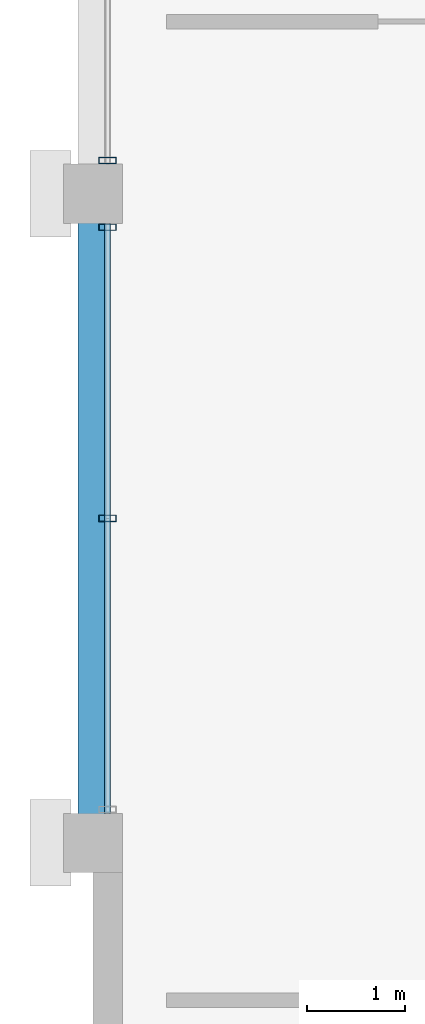
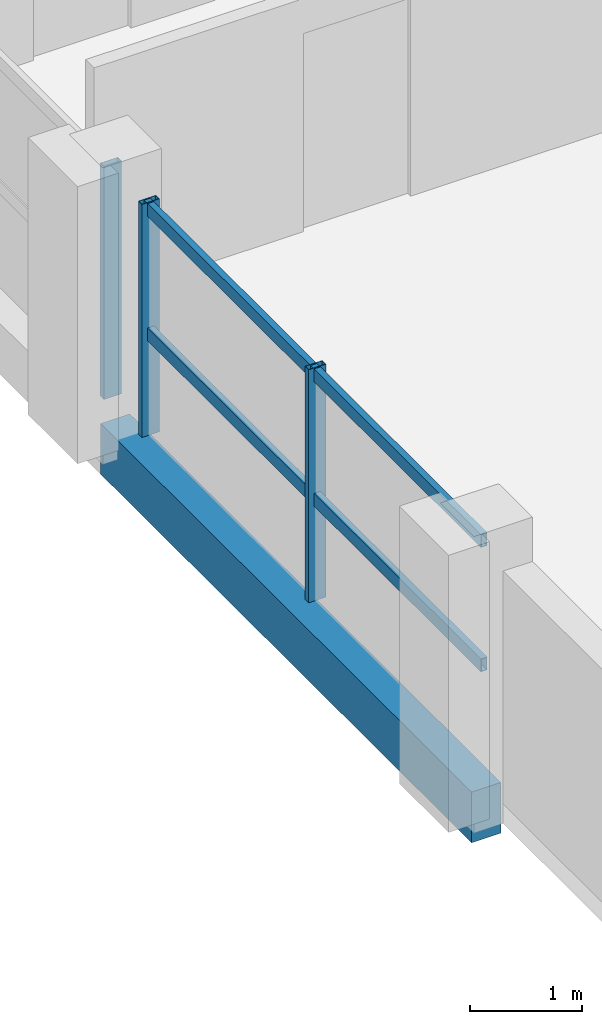
# One storey, part 4 of 24: 5 members, 1 beam, 2 elements without a shape of their own.
"""IFC4 building model written with IfcOpenShell, lengths in metres."""

from ifc_helpers import new_model, si_unit, direction, frame, origin, origin_2d, place, context, subcontext, project, spatial, rectangle, hollow_rectangle, extrude, material, material_profile, profile_set, type_object, element, aggregate, save


model = new_model("IFC4")

# Units and contexts
model_context = context("Model", 3, precision=1e-05, world=origin(), true_north=direction((0.0, 1.0)))
body_context = subcontext(model_context, "Body", "Model", "MODEL_VIEW")
ifc_project = project(units=[si_unit("LENGTHUNIT", "METRE"), si_unit("AREAUNIT", "SQUARE_METRE"), si_unit("VOLUMEUNIT", "CUBIC_METRE"), si_unit("PLANEANGLEUNIT", "RADIAN"), si_unit("MASSUNIT", "GRAM", prefix="KILO")], contexts=[model_context])

# Site, building, storey
site_placement = place(None, origin())
site = spatial("IfcSite", under=ifc_project, at=site_placement, CompositionType="ELEMENT")
building_placement = place(site_placement, origin())
building = spatial("IfcBuilding", under=site, at=building_placement, Name="Akrevak Sports Hall", CompositionType="ELEMENT")
storey_placement = place(building_placement, frame((0.0, 0.0, 63.300048828125)))
storey = spatial("IfcBuildingStorey", under=building, at=storey_placement, Name="L16", CompositionType="ELEMENT", Elevation=63.300048828125)

# Curtain wall, member
ifc_material_1 = material(Name="Anodized Bronze Aluminium & Low-E Glass", Category="aluminium")
curtain_wall_type = type_object("IfcCurtainWallType", Name="ARC-CW-TWR-72x30", PredefinedType="NOTDEFINED", material=ifc_material_1)
curtain_wall_1_placement = place(storey_placement, origin())
curtain_wall_1 = element("IfcCurtainWall", 1, at=curtain_wall_1_placement, inside=storey, type_object=curtain_wall_type, Name="Curtain Wall CW-L16-W28", PredefinedType="NOTDEFINED")
ifc_material_2 = material(Name="Anodized Bronze Aluminium", Category="aluminium")
ifc_material_profile_1 = material_profile(ifc_material_2, hollow_rectangle(XDim=0.06494140625, YDim=0.179931640625, WallThickness=0.00390625, at=origin_2d()), Name="CWM 65x180", Category="aluminium")
ifc_profile_set_1 = profile_set([ifc_material_profile_1], Name="Anodized Bronze Aluminium")
member_type_1 = type_object("IfcMemberType", Name="ARC-CWM-65x140", PredefinedType="MULLION", material=ifc_profile_set_1)
member_1_placement = place(storey_placement, frame((52.64990234375, 48.93994140625, 0.0), z_axis=(0.0, 0.0, 1.0), x_axis=(0.0, -1.0, 0.0)))
member_1 = element("IfcMember", 2, at=member_1_placement, type_object=member_type_1, Name="Curtain Wall Mullion CW-L16-W28-M3", PredefinedType="MULLION", context=body_context, shape_type="SweptSolid", body=[
    extrude(hollow_rectangle(XDim=0.06494140625, YDim=0.179931640625, WallThickness=0.00390625, at=origin_2d()), origin(), (0.0, 0.0, 1.0), 2.530029296875),
])
aggregate(curtain_wall_1, [member_1])

# Curtain wall, members
curtain_wall_2_placement = place(storey_placement, origin())
curtain_wall_2 = element("IfcCurtainWall", 3, at=curtain_wall_2_placement, inside=storey, type_object=curtain_wall_type, Name="Curtain Wall CW-L16-W29", PredefinedType="NOTDEFINED")
member_2_placement = place(storey_placement, frame((52.64990234375, 48.260009765625, 0.0), z_axis=(0.0, 0.0, 1.0), x_axis=(0.0, -1.0, 0.0)))
member_2 = element("IfcMember", 4, at=member_2_placement, type_object=member_type_1, Name="Curtain Wall Mullion CW-L16-W29-M1", PredefinedType="MULLION", context=body_context, shape_type="SweptSolid", body=[
    extrude(hollow_rectangle(XDim=0.06494140625, YDim=0.179931640625, WallThickness=0.00390625, at=origin_2d()), origin(), (0.0, 0.0, 1.0), 2.530029296875),
])
member_3_placement = place(storey_placement, frame((52.64990234375, 45.300048828125, 0.0), z_axis=(0.0, 0.0, 1.0), x_axis=(0.0, -1.0, 0.0)))
member_3 = element("IfcMember", 5, at=member_3_placement, type_object=member_type_1, Name="Curtain Wall Mullion CW-L16-W29-M2", PredefinedType="MULLION", context=body_context, shape_type="SweptSolid", body=[
    extrude(hollow_rectangle(XDim=0.06494140625, YDim=0.179931640625, WallThickness=0.00390625, at=origin_2d()), origin(), (0.0, 0.0, 1.0), 2.530029296875),
])
ifc_material_profile_2 = material_profile(ifc_material_2, hollow_rectangle(XDim=0.06494140625, YDim=0.139892578125, WallThickness=0.00390625, at=origin_2d()), Name="CWT 65x140", Category="aluminium")
ifc_profile_set_2 = profile_set([ifc_material_profile_2], Name="Anodized Bronze Aluminium")
member_type_2 = type_object("IfcMemberType", Name="ARC-CWT-65x110", PredefinedType="USERDEFINED", material=ifc_profile_set_2)
member_4_placement = place(storey_placement, frame((52.64990234375, 48.300048828125, 1.099853515625), z_axis=(0.0, -1.0, 0.0), x_axis=(1.0, 0.0, 0.0)))
member_4 = element("IfcMember", 6, at=member_4_placement, type_object=member_type_2, Name="Curtain Wall Transom CW-L16-W29-T1", ObjectType="TRANSOM", PredefinedType="USERDEFINED", context=body_context, shape_type="SweptSolid", body=[
    extrude(hollow_rectangle(XDim=0.06494140625, YDim=0.139892578125, WallThickness=0.00390625, at=origin_2d()), origin(), (0.0, 0.0, 1.0), 6.0),
])
member_5_placement = place(storey_placement, frame((52.64990234375, 48.300048828125, 2.449951171875), z_axis=(0.0, -1.0, 0.0), x_axis=(1.0, 0.0, 0.0)))
member_5 = element("IfcMember", 7, at=member_5_placement, type_object=member_type_2, Name="Curtain Wall Transom CW-L16-W29-T2", ObjectType="TRANSOM", PredefinedType="USERDEFINED", context=body_context, shape_type="SweptSolid", body=[
    extrude(hollow_rectangle(XDim=0.06494140625, YDim=0.139892578125, WallThickness=0.00390625, at=origin_2d()), origin(), (0.0, 0.0, 1.0), 6.0),
])
aggregate(curtain_wall_2, [member_2, member_3, member_4, member_5])

# Beam
ifc_material_3 = material(Name="Concrete C40/50", Category="concrete")
ifc_material_profile_3 = material_profile(ifc_material_3, rectangle(XDim=0.300048828125, YDim=0.550048828125, at=origin_2d()), Name="BM 300x550", Category="concrete")
ifc_profile_set_3 = profile_set([ifc_material_profile_3], Name="Concrete C40/50")
beam_type = type_object("IfcBeamType", Name="STR-BM-RC300x550", PredefinedType="BEAM", material=ifc_profile_set_3)
beam_placement = place(storey_placement, frame((52.5, 42.0, -0.275146484375), z_axis=(0.0, 1.0, 0.0), x_axis=(-1.0, 0.0, 0.0)))
element("IfcBeam", 8, at=beam_placement, inside=storey, type_object=beam_type, Name="Girder 8/G-H (L16)", PredefinedType="BEAM", context=body_context, shape_type="SweptSolid", body=[
    extrude(rectangle(XDim=0.300048828125, YDim=0.550048828125, at=origin_2d()), origin(), (0.0, 0.0, 1.0), 6.60009765625),
])

save(model, "model.ifc")
